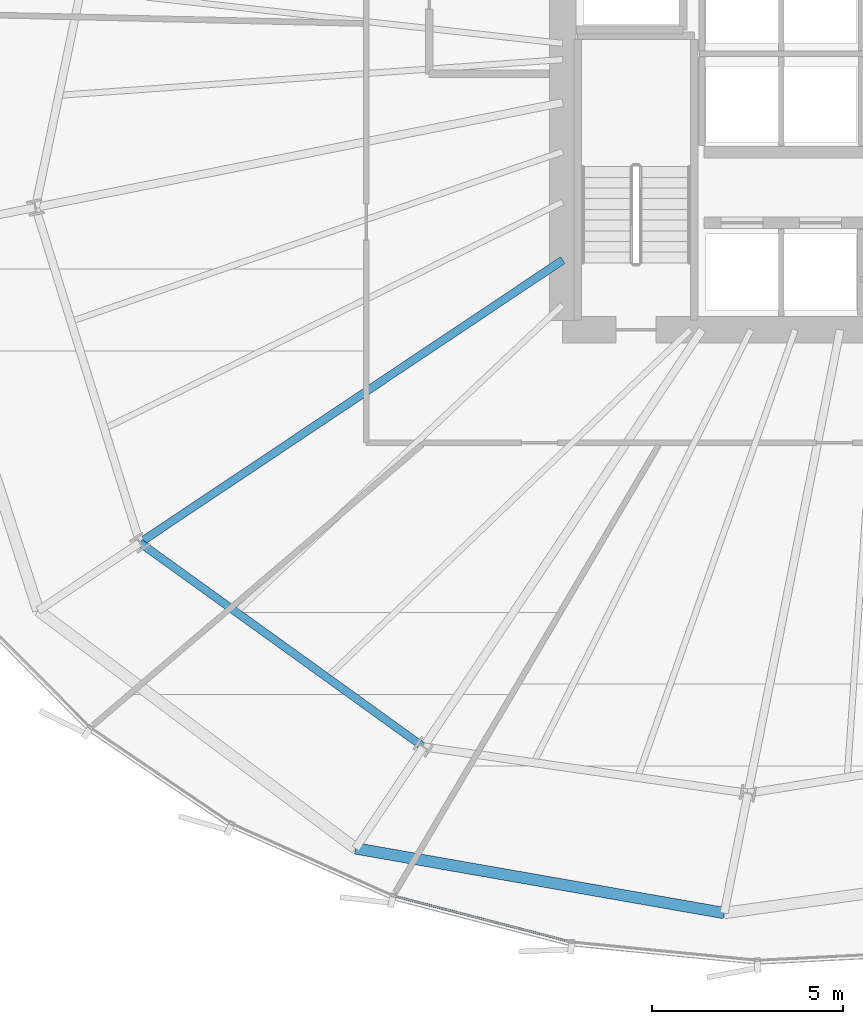
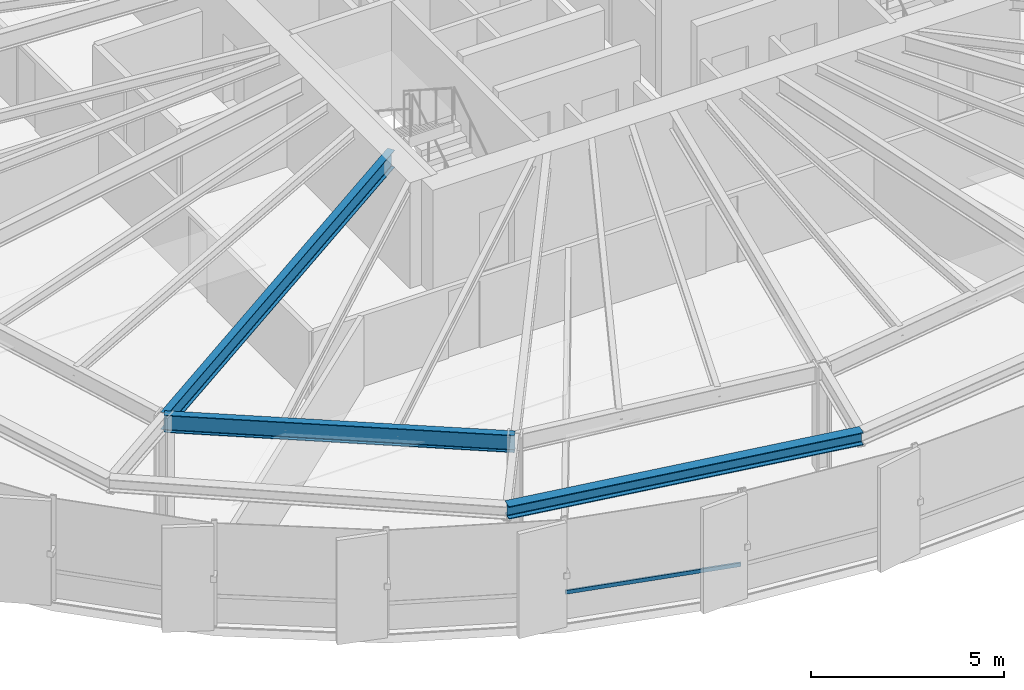
# One storey, part 4 of 35: 3 beams, 1 member, 1 element without a shape of its own.
"""IFC4 building model written with IfcOpenShell, lengths in metres."""

from ifc_helpers import new_model, si_unit, direction, frame, origin, origin_2d, place, context, subcontext, project, spatial, hollow_rectangle, i_section, extrude, source, transform, mapped, material, layer, layer_set, material_profile, profile_set, type_object, element, aggregate, save


model = new_model("IFC4")

# Units and contexts
model_context = context("Model", 3, precision=1e-05, world=origin(), true_north=direction((0.0, 1.0)))
body_context = subcontext(model_context, "Body", "Model", "MODEL_VIEW")
ifc_project = project(units=[si_unit("LENGTHUNIT", "METRE"), si_unit("AREAUNIT", "SQUARE_METRE"), si_unit("VOLUMEUNIT", "CUBIC_METRE"), si_unit("PLANEANGLEUNIT", "RADIAN"), si_unit("MASSUNIT", "GRAM", prefix="KILO"), si_unit("THERMODYNAMICTEMPERATUREUNIT", "KELVIN")], contexts=[model_context])

# Site, building, storey
site_placement = place(None, origin())
site = spatial("IfcSite", under=ifc_project, at=site_placement, CompositionType="ELEMENT")
building_placement = place(site_placement, origin())
building = spatial("IfcBuilding", under=site, at=building_placement, Name="Kethvar Cultural Tower", CompositionType="ELEMENT")
storey_placement = place(building_placement, frame((0.0, 0.0, 96.39990234375)))
storey = spatial("IfcBuildingStorey", under=building, at=storey_placement, Name="L23", CompositionType="ELEMENT", Elevation=96.39990234375)

# Beams
ifc_material_1 = material(Name="Steel S355J2", Category="steel")
ifc_material_profile_1 = material_profile(ifc_material_1, i_section(OverallWidth=0.2099609375, OverallDepth=0.550048828125, WebThickness=0.010986328125, FlangeThickness=0.01708984375, FilletRadius=0.02392578125, at=origin_2d()), Name="Steel S355J2 — IPE550")
ifc_profile_set_1 = profile_set([ifc_material_profile_1], Name="Steel S355J2 — IPE550")
beam_type_1 = type_object("IfcBeamType", Name="BM-IPE550", PredefinedType="BEAM", material=ifc_profile_set_1)
shared_shape_1 = source(origin(), body_context, "Body", "SweptSolid", [
    extrude(i_section(OverallWidth=0.2099609375, OverallDepth=0.550048828125, WebThickness=0.010986328125, FlangeThickness=0.01708984375, FilletRadius=0.02392578125, at=origin_2d()), origin(), (0.0, 0.0, 1.0), 13.324951171875),
])
beam_1_placement = place(storey_placement, frame((38.0, 21.919921875, 3.072998046875), z_axis=(-0.831474815475, -0.555562445843, 0.0), x_axis=(0.555562445843, -0.831474815475, 0.0)))
element("IfcBeam", 1, at=beam_1_placement, inside=storey, type_object=beam_type_1, Name="L23 Primary Radial Beam RB-10", PredefinedType="BEAM", context=body_context, shape_type="MappedRepresentation", body=[
    mapped(shared_shape_1, transform((0.0, 0.0, 0.0), scale=1.0)),
])
shared_shape_2 = source(origin(), body_context, "Body", "SweptSolid", [
    extrude(i_section(OverallWidth=0.2099609375, OverallDepth=0.550048828125, WebThickness=0.010986328125, FlangeThickness=0.01708984375, FilletRadius=0.02392578125, at=origin_2d()), origin(), (0.0, 0.0, 1.0), 9.155029296875),
])
beam_2_placement = place(storey_placement, frame((26.920654296875, 14.51708984375, 3.072998046875), z_axis=(0.811590987974, -0.584226042076, 0.0), x_axis=(0.584226042076, 0.811590987974, 0.0)))
element("IfcBeam", 2, at=beam_2_placement, inside=storey, type_object=beam_type_1, Name="L23 Column Ring Tie Beam CR-10", PredefinedType="BEAM", context=body_context, shape_type="MappedRepresentation", body=[
    mapped(shared_shape_2, transform((0.0, 0.0, 0.0), scale=1.0)),
])
ifc_material_profile_2 = material_profile(ifc_material_1, i_section(OverallWidth=0.300048828125, OverallDepth=0.39990234375, WebThickness=0.013427734375, FlangeThickness=0.02392578125, FilletRadius=0.027099609375, at=origin_2d()), Name="Steel S355J2 — HEB400")
ifc_profile_set_2 = profile_set([ifc_material_profile_2], Name="Steel S355J2 — HEB400")
beam_type_2 = type_object("IfcBeamType", Name="BM-SP400", PredefinedType="SPANDREL", material=ifc_profile_set_2)
shared_shape_3 = source(origin(), body_context, "Body", "SweptSolid", [
    extrude(i_section(OverallWidth=0.300048828125, OverallDepth=0.39990234375, WebThickness=0.013427734375, FlangeThickness=0.02392578125, FilletRadius=0.027099609375, at=origin_2d()), origin(), (0.0, 0.0, 1.0), 9.80224609375),
])
beam_3_placement = place(storey_placement, frame((32.572998046875, 6.5078125, 3.148193359375), z_axis=(0.984974273513, -0.172701130618, 0.0), x_axis=(0.172701130618, 0.984974273513, 0.0)))
element("IfcBeam", 3, at=beam_3_placement, inside=storey, type_object=beam_type_2, Name="L23 Perimeter Spandrel Beam SP-11", PredefinedType="SPANDREL", context=body_context, shape_type="MappedRepresentation", body=[
    mapped(shared_shape_3, transform((0.0, 0.0, 0.0), scale=1.0)),
])

# Curtain wall, member
ifc_material_2 = material(Name="Aluminium 6063-T6", Category="aluminium")
ifc_layer = layer(ifc_material_2, 0.179931640625, Name="Aluminium 6063-T6", Category="aluminium")
ifc_layer_set = layer_set([ifc_layer], Name="Aluminium 6063-T6 (180 mm)")
curtain_wall_type = type_object("IfcCurtainWallType", Name="CW-SYS-03-Z2", PredefinedType="NOTDEFINED", material=ifc_layer_set)
curtain_wall_placement = place(storey_placement, origin())
curtain_wall = element("IfcCurtainWall", 4, at=curtain_wall_placement, inside=storey, type_object=curtain_wall_type, Name="L23 Curtain Wall Run 04", PredefinedType="NOTDEFINED")
ifc_material_profile_3 = material_profile(ifc_material_2, hollow_rectangle(XDim=0.054931640625, YDim=0.1201171875, WallThickness=0.00390625, at=origin_2d()), Name="Aluminium 6063-T6 — RHS120x55x4")
ifc_profile_set_3 = profile_set([ifc_material_profile_3], Name="Aluminium 6063-T6 — RHS120x55x4")
member_type = type_object("IfcMemberType", Name="CW-SYS-03-Z2-TRN", PredefinedType="USERDEFINED", material=ifc_profile_set_3)
shared_shape_4 = source(origin(), body_context, "Body", "SweptSolid", [
    extrude(hollow_rectangle(XDim=0.054931640625, YDim=0.1201171875, WallThickness=0.00390625, at=origin_2d()), origin(), (0.0, 0.0, 1.0), 4.72216796875),
])
member_placement = place(storey_placement, frame((33.60205078125, 5.2548828125, 0.9501953125), z_axis=(0.96790379553, -0.251320995143, 0.0), x_axis=(0.251320995143, 0.96790379553, 0.0)))
member = element("IfcMember", 5, at=member_placement, type_object=member_type, Name="CW-L23-R04 Transom 6", ObjectType="TRANSOM", PredefinedType="USERDEFINED", context=body_context, shape_type="MappedRepresentation", body=[
    mapped(shared_shape_4, transform((0.0, 0.0, 0.0), scale=1.0)),
])
aggregate(curtain_wall, [member])

save(model, "model.ifc")
